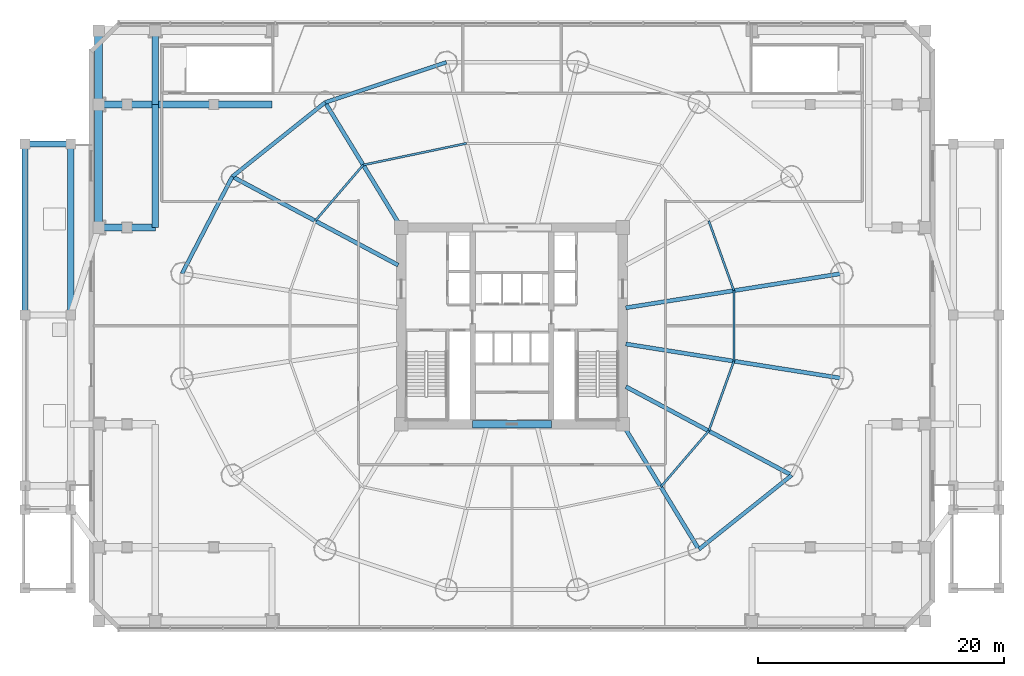
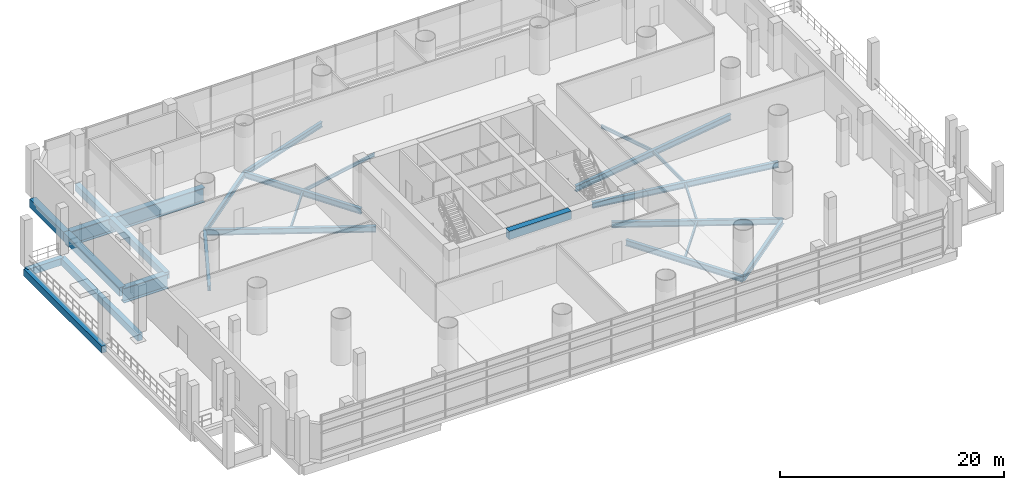
# One storey, part 10 of 31: 27 beams.
"""IFC4 building model written with IfcOpenShell, lengths in metres."""

from ifc_helpers import new_model, si_unit, direction, frame, origin, origin_2d, place, context, subcontext, project, spatial, rectangle, i_section, extrude, material, material_profile, profile_set, type_object, element, save


model = new_model("IFC4")

# Units and contexts
model_context = context("Model", 3, precision=1e-05, world=origin(), true_north=direction((-0.2419218956, 0.970295726276)))
body_context = subcontext(model_context, "Body", "Model", "MODEL_VIEW")
ifc_project = project(units=[si_unit("LENGTHUNIT", "METRE"), si_unit("AREAUNIT", "SQUARE_METRE"), si_unit("VOLUMEUNIT", "CUBIC_METRE"), si_unit("PLANEANGLEUNIT", "RADIAN"), si_unit("MASSUNIT", "GRAM", prefix="KILO")], contexts=[model_context])

# Site, building, storey
site_placement = place(None, origin())
site = spatial("IfcSite", under=ifc_project, at=site_placement, CompositionType="ELEMENT")
building_placement = place(site_placement, origin())
building = spatial("IfcBuilding", under=site, at=building_placement, Name="Cobrevalo Terracotta Tower", CompositionType="ELEMENT")
storey_placement = place(building_placement, frame((0.0, 0.0, 18.89990234375)))
storey = spatial("IfcBuildingStorey", under=building, at=storey_placement, Name="L04", CompositionType="ELEMENT", Elevation=18.89990234375)

# Beams
ifc_material_1 = material(Name="Concrete C60", Category="concrete")
ifc_material_profile_1 = material_profile(ifc_material_1, rectangle(XDim=0.60009765625, YDim=0.89990234375, at=origin_2d()), Name="RC CB 600x900")
ifc_profile_set_1 = profile_set([ifc_material_profile_1], Name="Concrete C60")
beam_type_1 = type_object("IfcBeamType", Name="Structural Beam RC CB 600x900 (Concrete C60)", PredefinedType="BEAM", material=ifc_profile_set_1)
beam_1_placement = place(storey_placement, frame((34.800048828125, 18.800048828125, 4.3701171875), z_axis=(1.0, 0.0, 0.0), x_axis=(0.0, 1.0, 0.0)))
element("IfcBeam", 1, at=beam_1_placement, inside=storey, type_object=beam_type_1, Name="L04 core coupling beam 1", PredefinedType="BEAM", context=body_context, shape_type="SweptSolid", body=[
    extrude(rectangle(XDim=0.60009765625, YDim=0.89990234375, at=origin_2d()), origin(), (0.0, 0.0, 1.0), 6.39990234375),
])
ifc_material_2 = material(Name="Steel S355", Category="steel")
ifc_material_profile_2 = material_profile(ifc_material_2, i_section(OverallWidth=0.3291015625, OverallDepth=0.635009765625, WebThickness=0.017822265625, FlangeThickness=0.031005859375, at=origin_2d()), Name="W 610x241")
ifc_profile_set_2 = profile_set([ifc_material_profile_2], Name="Steel S355")
beam_type_2 = type_object("IfcBeamType", Name="Structural Beam W 610x241 (Steel S355)", PredefinedType="BEAM", material=ifc_profile_set_2)
beam_2_placement = place(storey_placement, frame((64.824462890625, 31.062744140625, -0.767333984375), z_axis=(-0.987607924622, -0.156941349628, 0.0), x_axis=(0.156941349628, -0.987607924622, 0.0)))
element("IfcBeam", 2, at=beam_2_placement, inside=storey, type_object=beam_type_2, Name="L04 radial floor girder 01", PredefinedType="BEAM", context=body_context, shape_type="SweptSolid", body=[
    extrude(i_section(OverallWidth=0.3291015625, OverallDepth=0.635009765625, WebThickness=0.017822265625, FlangeThickness=0.031005859375, at=origin_2d()), origin(), (0.0, 0.0, 1.0), 17.7900390625),
])
beam_3_placement = place(storey_placement, frame((22.80517578125, 44.967529296875, -0.767333984375), z_axis=(0.520309892051, -0.853977526773, 0.0), x_axis=(0.853977526773, 0.520309892051, 0.0)))
element("IfcBeam", 3, at=beam_3_placement, inside=storey, type_object=beam_type_2, Name="L04 radial floor girder 06", PredefinedType="BEAM", context=body_context, shape_type="SweptSolid", body=[
    extrude(i_section(OverallWidth=0.3291015625, OverallDepth=0.635009765625, WebThickness=0.017822265625, FlangeThickness=0.031005859375, at=origin_2d()), origin(), (0.0, 0.0, 1.0), 11.906005859375),
])
beam_4_placement = place(storey_placement, frame((15.25927734375, 38.939208984375, -0.767333984375), z_axis=(0.88218223571, -0.470908168329, 0.0), x_axis=(0.470908168329, 0.88218223571, 0.0)))
element("IfcBeam", 4, at=beam_4_placement, inside=storey, type_object=beam_type_2, Name="L04 radial floor girder 07", PredefinedType="BEAM", context=body_context, shape_type="SweptSolid", body=[
    extrude(i_section(OverallWidth=0.3291015625, OverallDepth=0.635009765625, WebThickness=0.017822265625, FlangeThickness=0.031005859375, at=origin_2d()), origin(), (0.0, 0.0, 1.0), 15.286865234375),
])
beam_5_placement = place(storey_placement, frame((53.19482421875, 8.63232421875, -0.767333984375), z_axis=(-0.520300780853, 0.853983077961, 0.0), x_axis=(-0.853983077961, -0.520300780853, 0.0)))
element("IfcBeam", 5, at=beam_5_placement, inside=storey, type_object=beam_type_2, Name="L04 radial floor girder 14", PredefinedType="BEAM", context=body_context, shape_type="SweptSolid", body=[
    extrude(i_section(OverallWidth=0.3291015625, OverallDepth=0.635009765625, WebThickness=0.017822265625, FlangeThickness=0.031005859375, at=origin_2d()), origin(), (0.0, 0.0, 1.0), 11.90625),
])
beam_6_placement = place(storey_placement, frame((60.74072265625, 14.660888671875, -0.767333984375), z_axis=(-0.88218223571, 0.470908168329, 0.0), x_axis=(-0.470908168329, -0.88218223571, 0.0)))
element("IfcBeam", 6, at=beam_6_placement, inside=storey, type_object=beam_type_2, Name="L04 radial floor girder 15", PredefinedType="BEAM", context=body_context, shape_type="SweptSolid", body=[
    extrude(i_section(OverallWidth=0.3291015625, OverallDepth=0.635009765625, WebThickness=0.017822265625, FlangeThickness=0.031005859375, at=origin_2d()), origin(), (0.0, 0.0, 1.0), 15.286865234375),
])
beam_7_placement = place(storey_placement, frame((64.824462890625, 22.537353515625, -0.767333984375), z_axis=(-0.987607924622, 0.156941349628, 0.0), x_axis=(-0.156941349628, -0.987607924622, 0.0)))
element("IfcBeam", 7, at=beam_7_placement, inside=storey, type_object=beam_type_2, Name="L04 radial floor girder 16", PredefinedType="BEAM", context=body_context, shape_type="SweptSolid", body=[
    extrude(i_section(OverallWidth=0.3291015625, OverallDepth=0.635009765625, WebThickness=0.017822265625, FlangeThickness=0.031005859375, at=origin_2d()), origin(), (0.0, 0.0, 1.0), 17.7900390625),
])
ifc_material_profile_3 = material_profile(ifc_material_2, i_section(OverallWidth=0.1708984375, OverallDepth=0.35498046875, WebThickness=0.007080078125, FlangeThickness=0.01171875, at=origin_2d()), Name="W 360x51")
ifc_profile_set_3 = profile_set([ifc_material_profile_3], Name="Steel S355")
beam_type_3 = type_object("IfcBeamType", Name="Structural Joist W 360x51 (Steel S355)", PredefinedType="JOIST", material=ifc_profile_set_3)
beam_8_placement = place(storey_placement, frame((56.039794921875, 29.666748046875, -0.62744140625), z_axis=(-0.338672151116, 0.940904444701, 0.0), x_axis=(-0.940904444701, -0.338672151116, 0.0)))
element("IfcBeam", 8, at=beam_8_placement, inside=storey, type_object=beam_type_3, Name="L04 circumferential secondary floor joist 01", PredefinedType="JOIST", context=body_context, shape_type="SweptSolid", body=[
    extrude(i_section(OverallWidth=0.1708984375, OverallDepth=0.35498046875, WebThickness=0.007080078125, FlangeThickness=0.01171875, at=origin_2d()), origin(), (0.0, 0.0, 1.0), 6.029296875),
])
beam_9_placement = place(storey_placement, frame((34.304443359375, 41.642578125, -0.62744140625), z_axis=(-0.978784523904, -0.204892302848, 0.0), x_axis=(0.204892302848, -0.978784523904, 0.0)))
element("IfcBeam", 9, at=beam_9_placement, inside=storey, type_object=beam_type_3, Name="L04 circumferential secondary floor joist 05", PredefinedType="JOIST", context=body_context, shape_type="SweptSolid", body=[
    extrude(i_section(OverallWidth=0.1708984375, OverallDepth=0.35498046875, WebThickness=0.007080078125, FlangeThickness=0.01171875, at=origin_2d()), origin(), (0.0, 0.0, 1.0), 8.583984375),
])
for number, where, z_axis, x_axis, name in (
    (10, (25.902587890625, 39.8837890625, -0.62744140625), (-0.651328404454, -0.758795960421, 0.0), (0.758795960421, -0.651328404454, 0.0), "L04 circumferential secondary floor joist 06"),
    (11, (50.097412109375, 13.71630859375, -0.62744140625), (0.651328404454, 0.758795960421, 0.0), (-0.758795960421, 0.651328404454, 0.0), "L04 circumferential secondary floor joist 14"),
):
    element("IfcBeam", number, at=place(storey_placement, frame(where, z_axis=z_axis, x_axis=x_axis)), inside=storey, type_object=beam_type_3, Name=name, PredefinedType="JOIST", context=body_context, shape_type="SweptSolid", body=[
        extrude(i_section(OverallWidth=0.1708984375, OverallDepth=0.35498046875, WebThickness=0.007080078125, FlangeThickness=0.01171875, at=origin_2d()), origin(), (0.0, 0.0, 1.0), 5.98828125),
    ])
beam_10_placement = place(storey_placement, frame((53.997802734375, 18.26025390625, -0.62744140625), z_axis=(0.338672151116, 0.940904444701, 0.0), x_axis=(-0.940904444701, 0.338672151116, 0.0)))
element("IfcBeam", 12, at=beam_10_placement, inside=storey, type_object=beam_type_3, Name="L04 circumferential secondary floor joist 15", PredefinedType="JOIST", context=body_context, shape_type="SweptSolid", body=[
    extrude(i_section(OverallWidth=0.1708984375, OverallDepth=0.35498046875, WebThickness=0.007080078125, FlangeThickness=0.01171875, at=origin_2d()), origin(), (0.0, 0.0, 1.0), 6.029296875),
])
beam_11_placement = place(storey_placement, frame((56.039794921875, 23.933349609375, -0.62744140625), z_axis=(0.0, 1.0, 0.0), x_axis=(-1.0, 0.0, 0.0)))
element("IfcBeam", 13, at=beam_11_placement, inside=storey, type_object=beam_type_3, Name="L04 circumferential secondary floor joist 16", PredefinedType="JOIST", context=body_context, shape_type="SweptSolid", body=[
    extrude(i_section(OverallWidth=0.1708984375, OverallDepth=0.35498046875, WebThickness=0.007080078125, FlangeThickness=0.01171875, at=origin_2d()), origin(), (0.0, 0.0, 1.0), 5.7333984375),
])
ifc_material_3 = material(Name="Concrete C50", Category="concrete")
ifc_material_profile_4 = material_profile(ifc_material_3, rectangle(XDim=0.64990234375, YDim=0.949951171875, at=origin_2d()), Name="RC BM 650x950")
ifc_profile_set_4 = profile_set([ifc_material_profile_4], Name="Concrete C50")
beam_type_4 = type_object("IfcBeamType", Name="Structural Spandrel RC BM 650x950 (Concrete C50)", PredefinedType="SPANDREL", material=ifc_profile_set_4)
beam_12_placement = place(storey_placement, frame((4.39990234375, 34.800048828125, -0.9248046875), z_axis=(0.0, 1.0, 0.0), x_axis=(-1.0, 0.0, 0.0)))
element("IfcBeam", 14, at=beam_12_placement, inside=storey, type_object=beam_type_4, Name="L04 podium grid beam G1-GE to G1-GF", PredefinedType="SPANDREL", context=body_context, shape_type="SweptSolid", body=[
    extrude(rectangle(XDim=0.64990234375, YDim=0.949951171875, at=origin_2d()), origin(), (0.0, 0.0, 1.0), 10.0),
])
beam_13_placement = place(storey_placement, frame((4.39990234375, 44.800048828125, -0.9248046875), z_axis=(0.0, 1.0, 0.0), x_axis=(-1.0, 0.0, 0.0)))
element("IfcBeam", 15, at=beam_13_placement, inside=storey, type_object=beam_type_4, Name="L04 podium grid beam G1-GF to G1-GG", PredefinedType="SPANDREL", context=body_context, shape_type="SweptSolid", body=[
    extrude(rectangle(XDim=0.64990234375, YDim=0.949951171875, at=origin_2d()), origin(), (0.0, 0.0, 1.0), 6.0),
])
ifc_material_profile_5 = material_profile(ifc_material_2, i_section(OverallWidth=0.31201171875, OverallDepth=0.54296875, WebThickness=0.0126953125, FlangeThickness=0.020263671875, at=origin_2d()), Name="W 530x150")
ifc_profile_set_5 = profile_set([ifc_material_profile_5], Name="Steel S355")
beam_type_5 = type_object("IfcBeamType", Name="Structural Spandrel W 530x150 (Steel S355)", PredefinedType="SPANDREL", material=ifc_profile_set_5)
beam_14_placement = place(storey_placement, frame((32.664306640625, 48.230224609375, -0.721435546875), z_axis=(-0.949365190876, -0.314174687638, 0.0), x_axis=(0.314174687638, -0.949365190876, 0.0)))
element("IfcBeam", 16, at=beam_14_placement, inside=storey, type_object=beam_type_5, Name="L04 perimeter ring spandrel 05", PredefinedType="SPANDREL", context=body_context, shape_type="SweptSolid", body=[
    extrude(i_section(OverallWidth=0.31201171875, OverallDepth=0.54296875, WebThickness=0.0126953125, FlangeThickness=0.020263671875, at=origin_2d()), origin(), (0.0, 0.0, 1.0), 10.385009765625),
])
beam_15_placement = place(storey_placement, frame((22.80517578125, 44.967529296875, -0.721435546875), z_axis=(-0.781292806807, -0.62416468182, 0.0), x_axis=(0.62416468182, -0.781292806807, 0.0)))
element("IfcBeam", 17, at=beam_15_placement, inside=storey, type_object=beam_type_5, Name="L04 perimeter ring spandrel 06", PredefinedType="SPANDREL", context=body_context, shape_type="SweptSolid", body=[
    extrude(i_section(OverallWidth=0.31201171875, OverallDepth=0.54296875, WebThickness=0.0126953125, FlangeThickness=0.020263671875, at=origin_2d()), origin(), (0.0, 0.0, 1.0), 9.658203125),
])
beam_16_placement = place(storey_placement, frame((15.25927734375, 38.939208984375, -0.721435546875), z_axis=(-0.460285838799, -0.88777077368, 0.0), x_axis=(0.88777077368, -0.460285838799, 0.0)))
element("IfcBeam", 18, at=beam_16_placement, inside=storey, type_object=beam_type_5, Name="L04 perimeter ring spandrel 07", PredefinedType="SPANDREL", context=body_context, shape_type="SweptSolid", body=[
    extrude(i_section(OverallWidth=0.31201171875, OverallDepth=0.54296875, WebThickness=0.0126953125, FlangeThickness=0.020263671875, at=origin_2d()), origin(), (0.0, 0.0, 1.0), 8.8720703125),
])
beam_17_placement = place(storey_placement, frame((53.19482421875, 8.63232421875, -0.721435546875), z_axis=(0.781280479891, 0.62418011162, 0.0), x_axis=(-0.62418011162, 0.781280479891, 0.0)))
element("IfcBeam", 19, at=beam_17_placement, inside=storey, type_object=beam_type_5, Name="L04 perimeter ring spandrel 14", PredefinedType="SPANDREL", context=body_context, shape_type="SweptSolid", body=[
    extrude(i_section(OverallWidth=0.31201171875, OverallDepth=0.54296875, WebThickness=0.0126953125, FlangeThickness=0.020263671875, at=origin_2d()), origin(), (0.0, 0.0, 1.0), 9.658447265625),
])
ifc_material_profile_6 = material_profile(ifc_material_3, rectangle(XDim=0.5, YDim=0.75, at=origin_2d()), Name="RC BM 500x750")
ifc_profile_set_6 = profile_set([ifc_material_profile_6], Name="Concrete C50")
beam_type_6 = type_object("IfcBeamType", Name="Structural T Beam RC BM 500x750 (Concrete C50)", PredefinedType="T_BEAM", material=ifc_profile_set_6)
beam_18_placement = place(storey_placement, frame((9.0, 34.800048828125, -0.824951171875), z_axis=(0.0, 1.0, 0.0), x_axis=(-1.0, 0.0, 0.0)))
element("IfcBeam", 20, at=beam_18_placement, inside=storey, type_object=beam_type_6, Name="L04 podium grid beam G2-GE to G2-GF", PredefinedType="T_BEAM", context=body_context, shape_type="SweptSolid", body=[
    extrude(rectangle(XDim=0.5, YDim=0.75, at=origin_2d()), origin(), (0.0, 0.0, 1.0), 10.0),
])
beam_19_placement = place(storey_placement, frame((9.0, 44.800048828125, -0.824951171875), z_axis=(0.0, 1.0, 0.0), x_axis=(-1.0, 0.0, 0.0)))
element("IfcBeam", 21, at=beam_19_placement, inside=storey, type_object=beam_type_6, Name="L04 podium grid beam G2-GF to G2-GG", PredefinedType="T_BEAM", context=body_context, shape_type="SweptSolid", body=[
    extrude(rectangle(XDim=0.5, YDim=0.75, at=origin_2d()), origin(), (0.0, 0.0, 1.0), 6.0),
])
for number, where, z_axis, x_axis, name in (
    (22, (-1.60009765625, 27.699951171875, -0.824951171875), (0.0, 1.0, 0.0), (-1.0, 0.0, 0.0), "L04 garden wing edge beam W1-2"),
    (23, (2.1201171875, 27.699951171875, -0.824951171875), (0.0, 1.0, 0.0), (-1.0, 0.0, 0.0), "L04 garden wing edge beam W2-2"),
):
    element("IfcBeam", number, at=place(storey_placement, frame(where, z_axis=z_axis, x_axis=x_axis)), inside=storey, type_object=beam_type_6, Name=name, PredefinedType="T_BEAM", context=body_context, shape_type="SweptSolid", body=[
        extrude(rectangle(XDim=0.5, YDim=0.75, at=origin_2d()), origin(), (0.0, 0.0, 1.0), 13.900146484375),
    ])
beam_20_placement = place(storey_placement, frame((-1.60009765625, 41.60009765625, -0.824951171875), z_axis=(1.0, 0.0, 0.0), x_axis=(0.0, 1.0, 0.0)))
element("IfcBeam", 24, at=beam_20_placement, inside=storey, type_object=beam_type_6, Name="L04 garden wing cross beam W2", PredefinedType="T_BEAM", context=body_context, shape_type="SweptSolid", body=[
    extrude(rectangle(XDim=0.5, YDim=0.75, at=origin_2d()), origin(), (0.0, 0.0, 1.0), 3.72021484375),
])
ifc_material_profile_7 = material_profile(ifc_material_2, i_section(OverallWidth=0.60009765625, OverallDepth=1.60009765625, WebThickness=0.031982421875, FlangeThickness=0.054931640625, at=origin_2d()), Name="PG 1600x600")
ifc_profile_set_7 = profile_set([ifc_material_profile_7], Name="Steel S355")
beam_type_7 = type_object("IfcBeamType", Name="Transfer Girder PG 1600x600 (Steel S355)", PredefinedType="BEAM", material=ifc_profile_set_7)
for number, where, z_axis, x_axis, name in (
    (25, (4.39990234375, 34.800048828125, -1.25), (1.0, 0.0, 0.0), (0.0, 1.0, 0.0), "L04 podium transfer girder TG-W4"),
    (26, (4.39990234375, 44.800048828125, -1.25), (1.0, 0.0, 0.0), (0.0, 1.0, 0.0), "L04 podium transfer girder TG-W5"),
):
    element("IfcBeam", number, at=place(storey_placement, frame(where, z_axis=z_axis, x_axis=x_axis)), inside=storey, type_object=beam_type_7, Name=name, PredefinedType="BEAM", context=body_context, shape_type="SweptSolid", body=[
        extrude(i_section(OverallWidth=0.60009765625, OverallDepth=1.60009765625, WebThickness=0.031982421875, FlangeThickness=0.054931640625, at=origin_2d()), origin(), (0.0, 0.0, 1.0), 4.60009765625),
    ])
beam_21_placement = place(storey_placement, frame((9.0, 44.800048828125, -1.25), z_axis=(1.0, 0.0, 0.0), x_axis=(0.0, 1.0, 0.0)))
element("IfcBeam", 27, at=beam_21_placement, inside=storey, type_object=beam_type_7, Name="L04 podium transfer girder TG-W6", PredefinedType="BEAM", context=body_context, shape_type="SweptSolid", body=[
    extrude(i_section(OverallWidth=0.60009765625, OverallDepth=1.60009765625, WebThickness=0.031982421875, FlangeThickness=0.054931640625, at=origin_2d()), origin(), (0.0, 0.0, 1.0), 9.5),
])

save(model, "model.ifc")
